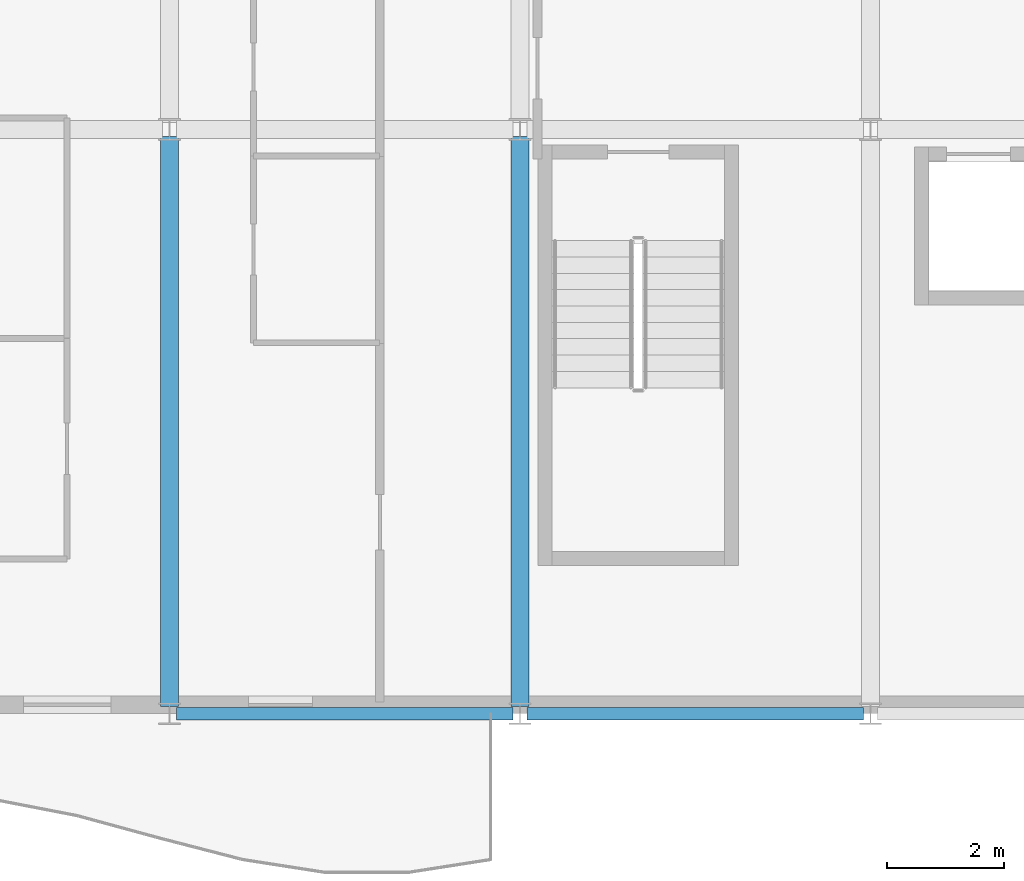
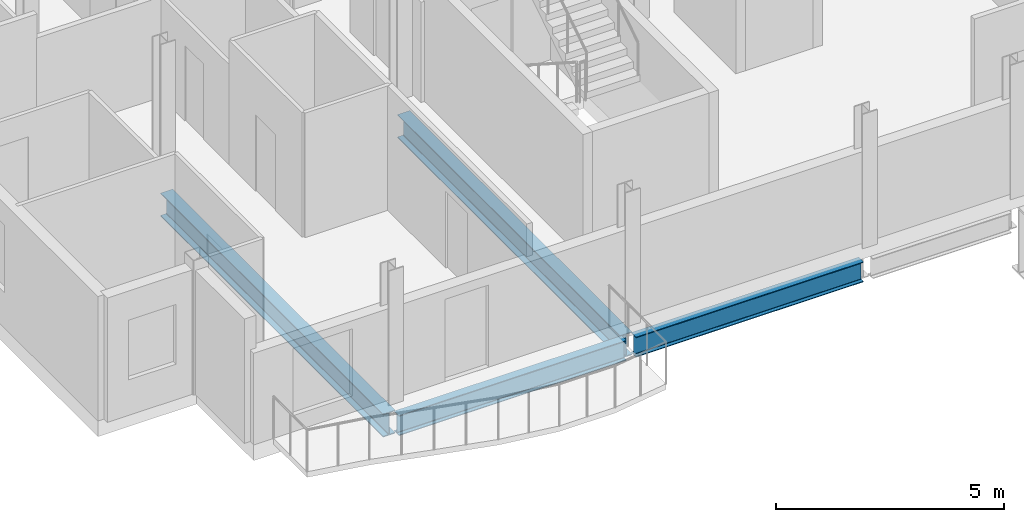
# One storey, part 3 of 35: 4 beams.
"""IFC4 building model written with IfcOpenShell, lengths in metres."""

from ifc_helpers import new_model, si_unit, direction, frame, origin, origin_2d, place, context, subcontext, project, spatial, i_section, extrude, material, material_profile, profile_set, type_object, element, save


model = new_model("IFC4")

# Units and contexts
model_context = context("Model", 3, precision=1e-05, world=origin(), true_north=direction((0.0, 1.0)))
body_context = subcontext(model_context, "Body", "Model", "MODEL_VIEW")
ifc_project = project(units=[si_unit("LENGTHUNIT", "METRE"), si_unit("AREAUNIT", "SQUARE_METRE"), si_unit("VOLUMEUNIT", "CUBIC_METRE"), si_unit("PLANEANGLEUNIT", "RADIAN"), si_unit("MASSUNIT", "GRAM", prefix="KILO")], contexts=[model_context])

# Site, building, storey
site_placement = place(None, origin())
site = spatial("IfcSite", under=ifc_project, at=site_placement, CompositionType="ELEMENT")
building_placement = place(site_placement, origin())
building = spatial("IfcBuilding", under=site, at=building_placement, Name="Brevholm Reach", CompositionType="ELEMENT")
storey_placement = place(building_placement, frame((0.0, 0.0, 214.39990234375)))
storey = spatial("IfcBuildingStorey", under=building, at=storey_placement, Name="L65", CompositionType="ELEMENT", Elevation=214.39990234375)

# Beams
ifc_material_1 = material(Name="Structural Steel S355J2", Category="steel")
ifc_material_profile_1 = material_profile(ifc_material_1, i_section(OverallWidth=0.210693359375, OverallDepth=0.53955078125, WebThickness=0.01171875, FlangeThickness=0.018798828125, FilletRadius=0.0126953125, at=origin_2d()), Name="UKB 533x210x109")
ifc_profile_set_1 = profile_set([ifc_material_profile_1], Name="Structural Steel S355J2")
beam_type_1 = type_object("IfcBeamType", Name="BM-SP539", PredefinedType="SPANDREL", material=ifc_profile_set_1)
for number, where, z_axis, x_axis, name in (
    (1, (6.1201171875, 0.0, -0.689697265625), (1.0, 0.0, 0.0), (0.0, 1.0, 0.0), "L65 SP-01B Framing Beam"),
    (2, (12.1201171875, 0.0, -0.689697265625), (1.0, 0.0, 0.0), (0.0, 1.0, 0.0), "L65 SP-01B Framing Beam"),
):
    element("IfcBeam", number, at=place(storey_placement, frame(where, z_axis=z_axis, x_axis=x_axis)), inside=storey, type_object=beam_type_1, Name=name, PredefinedType="SPANDREL", context=body_context, shape_type="SweptSolid", body=[
        extrude(i_section(OverallWidth=0.210693359375, OverallDepth=0.53955078125, WebThickness=0.01171875, FlangeThickness=0.018798828125, FilletRadius=0.0126953125, at=origin_2d()), origin(), (0.0, 0.0, 1.0), 5.759765625),
    ])
ifc_material_2 = material(Name="Structural Steel S355J2", Category="steel")
ifc_material_profile_2 = material_profile(ifc_material_2, i_section(OverallWidth=0.30712890625, OverallDepth=0.6201171875, WebThickness=0.01416015625, FlangeThickness=0.023681640625, FilletRadius=0.0166015625, at=origin_2d()), Name="UKB 610x305x179")
ifc_profile_set_2 = profile_set([ifc_material_profile_2], Name="Structural Steel S355J2")
beam_type_2 = type_object("IfcBeamType", Name="BM-UKB610H", PredefinedType="USERDEFINED", material=ifc_profile_set_2)
for number, where, z_axis, x_axis, name in (
    (3, (6.0, 0.1201171875, -0.72998046875), (0.0, 1.0, 0.0), (-1.0, 0.0, 0.0), "L65 G-06 Framing Beam"),
    (4, (12.0, 0.1201171875, -0.72998046875), (0.0, 1.0, 0.0), (-1.0, 0.0, 0.0), "L65 G-06 Framing Beam"),
):
    element("IfcBeam", number, at=place(storey_placement, frame(where, z_axis=z_axis, x_axis=x_axis)), inside=storey, type_object=beam_type_2, Name=name, ObjectType="GIRDER", PredefinedType="USERDEFINED", context=body_context, shape_type="SweptSolid", body=[
        extrude(i_section(OverallWidth=0.30712890625, OverallDepth=0.6201171875, WebThickness=0.01416015625, FlangeThickness=0.023681640625, FilletRadius=0.0166015625, at=origin_2d()), origin(), (0.0, 0.0, 1.0), 9.759765625),
    ])

save(model, "model.ifc")
